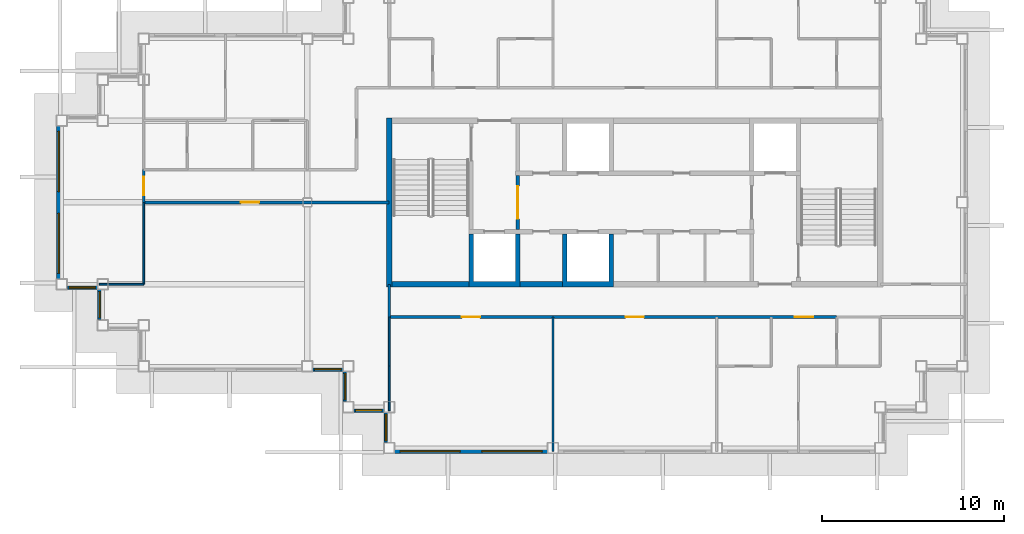
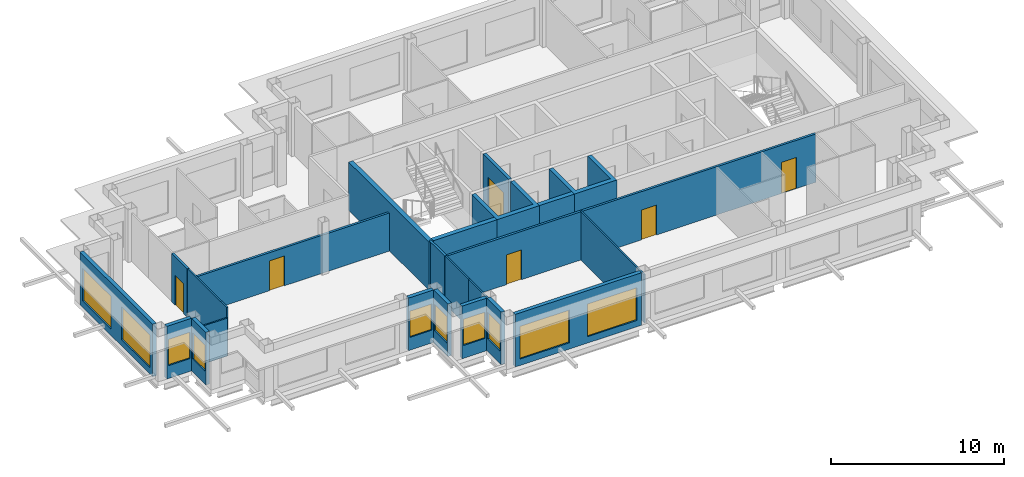
# One storey, part 2 of 11: 23 walls, 10 windows, 6 doors, 16 openings.
"""IFC4 building model written with IfcOpenShell, lengths in metres."""

from ifc_helpers import new_model, si_unit, direction, frame, frame_2d, origin, place, context, subcontext, project, spatial, polyline, rectangle, outline, extrude, material, layer, layer_set, type_object, element, fill, save


model = new_model("IFC4")

# Units and contexts
model_context = context("Model", 3, precision=1e-05, world=origin(), true_north=direction((0.0, 1.0)))
body_context = subcontext(model_context, "Body", "Model", "MODEL_VIEW")
ifc_project = project(units=[si_unit("LENGTHUNIT", "METRE"), si_unit("AREAUNIT", "SQUARE_METRE"), si_unit("VOLUMEUNIT", "CUBIC_METRE"), si_unit("PLANEANGLEUNIT", "RADIAN"), si_unit("MASSUNIT", "GRAM", prefix="KILO")], contexts=[model_context])

# Site, building, storey
site_placement = place(None, origin())
site = spatial("IfcSite", under=ifc_project, at=site_placement, CompositionType="ELEMENT")
building_placement = place(site_placement, origin())
building = spatial("IfcBuilding", under=site, at=building_placement, Name="Caravel Reach Hotel and Residences", CompositionType="ELEMENT")
storey_placement = place(building_placement, frame((0.0, 0.0, 263.800048828125)))
storey = spatial("IfcBuildingStorey", under=building, at=storey_placement, Name="L67", CompositionType="ELEMENT", Elevation=263.800048828125)

# Walls
ifc_material_1 = material(Name="Concrete C60", Category="concrete")
ifc_layer_1 = layer(ifc_material_1, 0.300048828125)
ifc_layer_set_1 = layer_set([ifc_layer_1], Name="Core wall 300 mm EI 120")
wall_type_1 = type_object("IfcWallType", Name="Core wall 300 mm EI 120", PredefinedType="SHEAR", material=ifc_layer_set_1)
wall_1_placement = place(storey_placement, frame((18.14990234375, 22.5, 0.0), z_axis=(0.0, 0.0, 1.0), x_axis=(1.0, 0.0, 0.0)))
element("IfcWall", 1, at=wall_1_placement, inside=storey, type_object=wall_type_1, Name="L67 core wall S1", PredefinedType="SHEAR", context=body_context, shape_type="SweptSolid", body=[
    extrude(rectangle(XDim=4.22509765625, YDim=0.300048828125, at=frame_2d((2.112548828125, 0.0))), origin(), (0.0, 0.0, 1.0), 3.39990234375),
])
wall_2_placement = place(storey_placement, frame((25.196533203125, 22.5, 0.0), z_axis=(0.0, 0.0, 1.0), x_axis=(1.0, 0.0, 0.0)))
element("IfcWall", 2, at=wall_2_placement, inside=storey, type_object=wall_type_1, Name="L67 core wall S2", PredefinedType="SHEAR", context=body_context, shape_type="SweptSolid", body=[
    extrude(rectangle(XDim=2.3212890625, YDim=0.300048828125, at=frame_2d((1.16064453125, 0.0))), origin(), (0.0, 0.0, 1.0), 3.39990234375),
])
wall_3_placement = place(storey_placement, frame((18.0, 22.35009765625, 0.0), z_axis=(0.0, 0.0, 1.0), x_axis=(0.0, 1.0, 0.0)))
element("IfcWall", 3, at=wall_3_placement, inside=storey, type_object=wall_type_1, Name="L67 core wall W", PredefinedType="SHEAR", context=body_context, shape_type="SweptSolid", body=[
    extrude(rectangle(XDim=9.2998046875, YDim=0.300048828125, at=frame_2d((4.64990234375, 0.0))), origin(), (0.0, 0.0, 1.0), 3.39990234375),
])

# Wall, openings, doors
ifc_material_2 = material(Name="Gypsum board on steel stud, fire-rated", Category="steel")
ifc_layer_2 = layer(ifc_material_2, 0.14990234375)
ifc_layer_set_2 = layer_set([ifc_layer_2], Name="Corridor wall 150 mm EI 60")
wall_type_2 = type_object("IfcWallType", Name="Corridor wall 150 mm EI 60", PredefinedType="PARTITIONING", material=ifc_layer_set_2)
wall_4_placement = place(storey_placement, frame((18.0, 20.699951171875, 0.0), z_axis=(0.0, 0.0, 1.0), x_axis=(1.0, 0.0, 0.0)))
wall_4 = element("IfcWall", 4, at=wall_4_placement, inside=storey, type_object=wall_type_2, Name="L67 wall w001", PredefinedType="PARTITIONING", context=body_context, shape_type="SweptSolid", body=[
    extrude(rectangle(XDim=24.60009765625, YDim=0.14990234375, at=frame_2d((12.300048828125, 0.0))), origin(), (0.0, 0.0, 1.0), 3.39990234375),
])
opening_1_placement = place(wall_4_placement, frame((4.0, 0.0, 0.0)))
opening_1 = element("IfcOpeningElement", 5, at=opening_1_placement, cuts=wall_4, Name="Opening D67-030", PredefinedType="OPENING", context=body_context, shape_type="SweptSolid", body=[
    extrude(rectangle(XDim=1.0, YDim=2.10009765625, at=frame_2d((0.5, 1.050048828125))), frame((0.0, 0.0849609375, 0.0), z_axis=(0.0, -1.0, 0.0), x_axis=(1.0, 0.0, 0.0)), (0.0, 0.0, 1.0), 0.169921875),
])
opening_2_placement = place(wall_4_placement, frame((13.0, 0.0, 0.0)))
opening_2 = element("IfcOpeningElement", 6, at=opening_2_placement, cuts=wall_4, Name="Opening D67-031", PredefinedType="OPENING", context=body_context, shape_type="SweptSolid", body=[
    extrude(rectangle(XDim=1.0, YDim=2.10009765625, at=frame_2d((0.5, 1.050048828125))), frame((0.0, 0.0849609375, 0.0), z_axis=(0.0, -1.0, 0.0), x_axis=(1.0, 0.0, 0.0)), (0.0, 0.0, 1.0), 0.169921875),
])
opening_3_placement = place(wall_4_placement, frame((22.300048828125, 0.0, 0.0)))
opening_3 = element("IfcOpeningElement", 7, at=opening_3_placement, cuts=wall_4, Name="Opening D67-032", PredefinedType="OPENING", context=body_context, shape_type="SweptSolid", body=[
    extrude(rectangle(XDim=1.0, YDim=2.199951171875, at=frame_2d((0.5, 1.10009765625))), frame((0.0, 0.0849609375, 0.0), z_axis=(0.0, -1.0, 0.0), x_axis=(1.0, 0.0, 0.0)), (0.0, 0.0, 1.0), 0.169921875),
])
ifc_material_3 = material(Name="Steel fire door leaf", Category="steel")
door_type_1 = type_object("IfcDoorType", Name="Fire door 1000 x 2100 EI 60", OperationType="SINGLE_SWING_LEFT", PredefinedType="DOOR", material=ifc_material_3)
door_1_placement = place(opening_1_placement, origin())
door_1 = element("IfcDoor", 8, at=door_1_placement, inside=storey, type_object=door_type_1, Name="door D67-030", OperationType="SINGLE_SWING_RIGHT", OverallHeight=2.10009765625, OverallWidth=1.0, PredefinedType="DOOR", context=body_context, shape_type="SweptSolid", body=[
    extrude(rectangle(XDim=1.0, YDim=2.10009765625, at=frame_2d((0.5, 1.050048828125))), frame((0.0, 0.02490234375, 0.0), z_axis=(0.0, -1.0, 0.0), x_axis=(1.0, 0.0, 0.0)), (0.0, 0.0, 1.0), 0.050048828125),
])
fill(opening_1, door_1)
door_2_placement = place(opening_2_placement, origin())
door_2 = element("IfcDoor", 9, at=door_2_placement, inside=storey, type_object=door_type_1, Name="door D67-031", OperationType="SINGLE_SWING_RIGHT", OverallHeight=2.10009765625, OverallWidth=1.0, PredefinedType="DOOR", context=body_context, shape_type="SweptSolid", body=[
    extrude(rectangle(XDim=1.0, YDim=2.10009765625, at=frame_2d((0.5, 1.050048828125))), frame((0.0, 0.02490234375, 0.0), z_axis=(0.0, -1.0, 0.0), x_axis=(1.0, 0.0, 0.0)), (0.0, 0.0, 1.0), 0.050048828125),
])
fill(opening_2, door_2)
ifc_material_4 = material(Name="Steel fire door leaf", Category="steel")
door_type_2 = type_object("IfcDoorType", Name="Flat entrance door 1000 x 2200 EI 60", OperationType="SINGLE_SWING_LEFT", PredefinedType="DOOR", material=ifc_material_4)
door_3_placement = place(opening_3_placement, origin())
door_3 = element("IfcDoor", 10, at=door_3_placement, inside=storey, type_object=door_type_2, Name="door D67-032", OperationType="SINGLE_SWING_RIGHT", OverallHeight=2.199951171875, OverallWidth=1.0, PredefinedType="DOOR", context=body_context, shape_type="SweptSolid", body=[
    extrude(rectangle(XDim=1.0, YDim=2.199951171875, at=frame_2d((0.5, 1.10009765625))), frame((0.0, 0.02490234375, 0.0), z_axis=(0.0, -1.0, 0.0), x_axis=(1.0, 0.0, 0.0)), (0.0, 0.0, 1.0), 0.050048828125),
])
fill(opening_3, door_3)

# Wall, opening, door
wall_5_placement = place(storey_placement, frame((4.5, 27.0, 0.0), z_axis=(0.0, 0.0, 1.0), x_axis=(1.0, 0.0, 0.0)))
wall_5 = element("IfcWall", 11, at=wall_5_placement, inside=storey, type_object=wall_type_2, Name="L67 wall w007", PredefinedType="PARTITIONING", context=body_context, shape_type="SweptSolid", body=[
    extrude(rectangle(XDim=13.5, YDim=0.14990234375, at=frame_2d((6.75, 0.0))), origin(), (0.0, 0.0, 1.0), 2.679931640625),
])
opening_4_placement = place(wall_5_placement, frame((5.35009765625, 0.0, 0.0)))
opening_4 = element("IfcOpeningElement", 12, at=opening_4_placement, cuts=wall_5, Name="Opening D67-029", PredefinedType="OPENING", context=body_context, shape_type="SweptSolid", body=[
    extrude(rectangle(XDim=1.0, YDim=2.10009765625, at=frame_2d((0.5, 1.050048828125))), frame((0.0, 0.0849609375, 0.0), z_axis=(0.0, -1.0, 0.0), x_axis=(1.0, 0.0, 0.0)), (0.0, 0.0, 1.0), 0.169921875),
])
door_4_placement = place(opening_4_placement, origin())
door_4 = element("IfcDoor", 13, at=door_4_placement, inside=storey, type_object=door_type_1, Name="door D67-029", OperationType="SINGLE_SWING_LEFT", OverallHeight=2.10009765625, OverallWidth=1.0, PredefinedType="DOOR", context=body_context, shape_type="SweptSolid", body=[
    extrude(rectangle(XDim=1.0, YDim=2.10009765625, at=frame_2d((0.5, 1.050048828125))), frame((0.0, 0.02490234375, 0.0), z_axis=(0.0, -1.0, 0.0), x_axis=(1.0, 0.0, 0.0)), (0.0, 0.0, 1.0), 0.050048828125),
])
fill(opening_4, door_4)

# Wall
wall_6_placement = place(storey_placement, frame((18.0, 20.699951171875, 0.0), z_axis=(0.0, 0.0, 1.0), x_axis=(0.0, 1.0, 0.0)))
element("IfcWall", 14, at=wall_6_placement, inside=storey, type_object=wall_type_2, Name="L67 wall w018", PredefinedType="PARTITIONING", context=body_context, shape_type="SweptSolid", body=[
    extrude(rectangle(XDim=1.800048828125, YDim=0.14990234375, at=frame_2d((0.89990234375, 0.0))), origin(), (0.0, 0.0, 1.0), 3.39990234375),
])

# Wall, opening, door
wall_7_placement = place(storey_placement, frame((4.5, 27.0, 0.0), z_axis=(0.0, 0.0, 1.0), x_axis=(0.0, 1.0, 0.0)))
wall_7 = element("IfcWall", 15, at=wall_7_placement, inside=storey, type_object=wall_type_2, Name="L67 wall w019", PredefinedType="PARTITIONING", context=body_context, shape_type="SweptSolid", body=[
    extrude(rectangle(XDim=1.800048828125, YDim=0.14990234375, at=frame_2d((0.89990234375, 0.0))), origin(), (0.0, 0.0, 1.0), 3.39990234375),
])
opening_5_placement = place(wall_7_placement, frame((0.39990234375, 0.0, 0.0)))
opening_5 = element("IfcOpeningElement", 16, at=opening_5_placement, cuts=wall_7, Name="Opening D67-036", PredefinedType="OPENING", context=body_context, shape_type="SweptSolid", body=[
    extrude(rectangle(XDim=1.0, YDim=2.10009765625, at=frame_2d((0.5, 1.050048828125))), frame((0.0, 0.0849609375, 0.0), z_axis=(0.0, -1.0, 0.0), x_axis=(1.0, 0.0, 0.0)), (0.0, 0.0, 1.0), 0.169921875),
])
door_5_placement = place(opening_5_placement, origin())
door_5 = element("IfcDoor", 17, at=door_5_placement, inside=storey, type_object=door_type_1, Name="door D67-036", OperationType="SINGLE_SWING_LEFT", OverallHeight=2.10009765625, OverallWidth=1.0, PredefinedType="DOOR", context=body_context, shape_type="SweptSolid", body=[
    extrude(rectangle(XDim=1.0, YDim=2.10009765625, at=frame_2d((0.5, 1.050048828125))), frame((0.0, 0.02490234375, 0.0), z_axis=(0.0, -1.0, 0.0), x_axis=(1.0, 0.0, 0.0)), (0.0, 0.0, 1.0), 0.050048828125),
])
fill(opening_5, door_5)

# Wall, opening, window
ifc_material_5 = material(Name="Insulated rainscreen wall, aluminium cladding", Category="aluminium")
ifc_layer_3 = layer(ifc_material_5, 0.25)
ifc_layer_set_3 = layer_set([ifc_layer_3], Name="EW1 Tower rainscreen wall")
wall_type_3 = type_object("IfcWallType", Name="EW1 Tower rainscreen wall", PredefinedType="SOLIDWALL", material=ifc_layer_set_3)
wall_8_placement = place(storey_placement, frame((15.574951171875, 17.699951171875, 0.0), z_axis=(0.0, 0.0, 1.0), x_axis=(0.0, -1.0, 0.0)))
wall_8 = element("IfcWall", 18, at=wall_8_placement, inside=storey, type_object=wall_type_3, Name="External wall L67 W1.1", PredefinedType="SOLIDWALL", context=body_context, shape_type="SweptSolid", body=[
    extrude(rectangle(XDim=1.64990234375, YDim=0.25, at=frame_2d((0.824951171875, 0.0))), origin(), (0.0, 0.0, 1.0), 3.699951171875),
])
opening_6_placement = place(wall_8_placement, frame((0.10009765625, 0.0, 0.89990234375)))
opening_6 = element("IfcOpeningElement", 19, at=opening_6_placement, cuts=wall_8, Name="Opening WN25", PredefinedType="OPENING", context=body_context, shape_type="SweptSolid", body=[
    extrude(rectangle(XDim=1.449951171875, YDim=1.85009765625, at=frame_2d((0.72509765625, 0.925048828125))), frame((0.0, 0.135009765625, 0.0), z_axis=(0.0, -1.0, 0.0), x_axis=(1.0, 0.0, 0.0)), (0.0, 0.0, 1.0), 0.27001953125),
])
ifc_material_6 = material(Name="Dark low-e glazing in black aluminium frame", Category="aluminium")
window_type_1 = type_object("IfcWindowType", Name="Residence bedroom window 1450 x 1850", PartitioningType="SINGLE_PANEL", PredefinedType="WINDOW", material=ifc_material_6)
window_1_placement = place(opening_6_placement, origin())
window_1 = element("IfcWindow", 20, at=window_1_placement, inside=storey, type_object=window_type_1, Name="Window L67 W1.1.1", OverallHeight=1.85009765625, OverallWidth=1.449951171875, PartitioningType="SINGLE_PANEL", PredefinedType="WINDOW", context=body_context, shape_type="SweptSolid", body=[
    extrude(rectangle(XDim=1.449951171875, YDim=1.85009765625, at=frame_2d((0.72509765625, 0.925048828125))), frame((0.0, 0.030029296875, 0.0), z_axis=(0.0, -1.0, 0.0), x_axis=(1.0, 0.0, 0.0)), (0.0, 0.0, 1.0), 0.06005859375),
])
fill(opening_6, window_1)

wall_9_placement = place(storey_placement, frame((16.050048828125, 15.574951171875, 0.0), z_axis=(0.0, 0.0, 1.0), x_axis=(1.0, 0.0, 0.0)))
wall_9 = element("IfcWall", 21, at=wall_9_placement, inside=storey, type_object=wall_type_3, Name="External wall L67 S2.1", PredefinedType="SOLIDWALL", context=body_context, shape_type="SweptSolid", body=[
    extrude(rectangle(XDim=1.64990234375, YDim=0.25, at=frame_2d((0.824951171875, 0.0))), origin(), (0.0, 0.0, 1.0), 3.699951171875),
])
opening_7_placement = place(wall_9_placement, frame((0.10009765625, 0.0, 0.89990234375)))
opening_7 = element("IfcOpeningElement", 22, at=opening_7_placement, cuts=wall_9, Name="Opening WN25", PredefinedType="OPENING", context=body_context, shape_type="SweptSolid", body=[
    extrude(rectangle(XDim=1.449951171875, YDim=1.85009765625, at=frame_2d((0.72509765625, 0.925048828125))), frame((0.0, 0.135009765625, 0.0), z_axis=(0.0, -1.0, 0.0), x_axis=(1.0, 0.0, 0.0)), (0.0, 0.0, 1.0), 0.27001953125),
])
window_2_placement = place(opening_7_placement, origin())
window_2 = element("IfcWindow", 23, at=window_2_placement, inside=storey, type_object=window_type_1, Name="Window L67 S2.1.1", OverallHeight=1.85009765625, OverallWidth=1.449951171875, PartitioningType="SINGLE_PANEL", PredefinedType="WINDOW", context=body_context, shape_type="SweptSolid", body=[
    extrude(rectangle(XDim=1.449951171875, YDim=1.85009765625, at=frame_2d((0.72509765625, 0.925048828125))), frame((0.0, 0.030029296875, 0.0), z_axis=(0.0, -1.0, 0.0), x_axis=(1.0, 0.0, 0.0)), (0.0, 0.0, 1.0), 0.06005859375),
])
fill(opening_7, window_2)

wall_10_placement = place(storey_placement, frame((17.824951171875, 15.449951171875, 0.0), z_axis=(0.0, 0.0, 1.0), x_axis=(0.0, -1.0, 0.0)))
wall_10 = element("IfcWall", 24, at=wall_10_placement, inside=storey, type_object=wall_type_3, Name="External wall L67 W3.1", PredefinedType="SOLIDWALL", context=body_context, shape_type="SweptSolid", body=[
    extrude(rectangle(XDim=1.64990234375, YDim=0.25, at=frame_2d((0.824951171875, 0.0))), origin(), (0.0, 0.0, 1.0), 3.699951171875),
])
opening_8_placement = place(wall_10_placement, frame((0.10009765625, 0.0, 0.89990234375)))
opening_8 = element("IfcOpeningElement", 25, at=opening_8_placement, cuts=wall_10, Name="Opening WN25", PredefinedType="OPENING", context=body_context, shape_type="SweptSolid", body=[
    extrude(rectangle(XDim=1.449951171875, YDim=1.85009765625, at=frame_2d((0.72509765625, 0.925048828125))), frame((0.0, 0.135009765625, 0.0), z_axis=(0.0, -1.0, 0.0), x_axis=(1.0, 0.0, 0.0)), (0.0, 0.0, 1.0), 0.27001953125),
])
window_3_placement = place(opening_8_placement, origin())
window_3 = element("IfcWindow", 26, at=window_3_placement, inside=storey, type_object=window_type_1, Name="Window L67 W3.1.1", OverallHeight=1.85009765625, OverallWidth=1.449951171875, PartitioningType="SINGLE_PANEL", PredefinedType="WINDOW", context=body_context, shape_type="SweptSolid", body=[
    extrude(rectangle(XDim=1.449951171875, YDim=1.85009765625, at=frame_2d((0.72509765625, 0.925048828125))), frame((0.0, 0.030029296875, 0.0), z_axis=(0.0, -1.0, 0.0), x_axis=(1.0, 0.0, 0.0)), (0.0, 0.0, 1.0), 0.06005859375),
])
fill(opening_8, window_3)

# Wall, openings, windows
wall_11_placement = place(storey_placement, frame((18.300048828125, 13.324951171875, 0.0), z_axis=(0.0, 0.0, 1.0), x_axis=(1.0, 0.0, 0.0)))
wall_11 = element("IfcWall", 27, at=wall_11_placement, inside=storey, type_object=wall_type_3, Name="External wall L67 S4.1", PredefinedType="SOLIDWALL", context=body_context, shape_type="SweptSolid", body=[
    extrude(rectangle(XDim=8.39990234375, YDim=0.25, at=frame_2d((4.199951171875, 0.0))), origin(), (0.0, 0.0, 1.0), 3.699951171875),
])
opening_9_placement = place(wall_11_placement, frame((0.300048828125, 0.0, 0.449951171875)))
opening_9 = element("IfcOpeningElement", 28, at=opening_9_placement, cuts=wall_11, Name="Opening WN15", PredefinedType="OPENING", context=body_context, shape_type="SweptSolid", body=[
    extrude(rectangle(XDim=3.300048828125, YDim=2.300048828125, at=frame_2d((1.64990234375, 1.14990234375))), frame((0.0, 0.135009765625, 0.0), z_axis=(0.0, -1.0, 0.0), x_axis=(1.0, 0.0, 0.0)), (0.0, 0.0, 1.0), 0.27001953125),
])
opening_10_placement = place(wall_11_placement, frame((4.800048828125, 0.0, 0.449951171875)))
opening_10 = element("IfcOpeningElement", 29, at=opening_10_placement, cuts=wall_11, Name="Opening WN15", PredefinedType="OPENING", context=body_context, shape_type="SweptSolid", body=[
    extrude(rectangle(XDim=3.300048828125, YDim=2.300048828125, at=frame_2d((1.64990234375, 1.14990234375))), frame((0.0, 0.135009765625, 0.0), z_axis=(0.0, -1.0, 0.0), x_axis=(1.0, 0.0, 0.0)), (0.0, 0.0, 1.0), 0.27001953125),
])
ifc_material_7 = material(Name="Dark low-e glazing in black aluminium frame", Category="aluminium")
window_type_2 = type_object("IfcWindowType", Name="Residence living window 3300 x 2300", PartitioningType="SINGLE_PANEL", PredefinedType="WINDOW", material=ifc_material_7)
window_4_placement = place(opening_9_placement, origin())
window_4 = element("IfcWindow", 30, at=window_4_placement, inside=storey, type_object=window_type_2, Name="Window L67 S4.1.1", OverallHeight=2.300048828125, OverallWidth=3.300048828125, PartitioningType="SINGLE_PANEL", PredefinedType="WINDOW", context=body_context, shape_type="SweptSolid", body=[
    extrude(rectangle(XDim=3.300048828125, YDim=2.300048828125, at=frame_2d((1.64990234375, 1.14990234375))), frame((0.0, 0.030029296875, 0.0), z_axis=(0.0, -1.0, 0.0), x_axis=(1.0, 0.0, 0.0)), (0.0, 0.0, 1.0), 0.06005859375),
])
fill(opening_9, window_4)
window_5_placement = place(opening_10_placement, origin())
window_5 = element("IfcWindow", 31, at=window_5_placement, inside=storey, type_object=window_type_2, Name="Window L67 S4.1.2", OverallHeight=2.300048828125, OverallWidth=3.300048828125, PartitioningType="SINGLE_PANEL", PredefinedType="WINDOW", context=body_context, shape_type="SweptSolid", body=[
    extrude(rectangle(XDim=3.300048828125, YDim=2.300048828125, at=frame_2d((1.64990234375, 1.14990234375))), frame((0.0, 0.030029296875, 0.0), z_axis=(0.0, -1.0, 0.0), x_axis=(1.0, 0.0, 0.0)), (0.0, 0.0, 1.0), 0.06005859375),
])
fill(opening_10, window_5)

wall_12_placement = place(storey_placement, frame((-0.175048828125, 31.199951171875, 0.0), z_axis=(0.0, 0.0, 1.0), x_axis=(0.0, -1.0, 0.0)))
wall_12 = element("IfcWall", 32, at=wall_12_placement, inside=storey, type_object=wall_type_3, Name="External wall L67 W23.1", PredefinedType="SOLIDWALL", context=body_context, shape_type="SweptSolid", body=[
    extrude(rectangle(XDim=8.39990234375, YDim=0.25, at=frame_2d((4.199951171875, 0.0))), origin(), (0.0, 0.0, 1.0), 3.699951171875),
])
opening_11_placement = place(wall_12_placement, frame((0.300048828125, 0.0, 0.449951171875)))
opening_11 = element("IfcOpeningElement", 33, at=opening_11_placement, cuts=wall_12, Name="Opening WN15", PredefinedType="OPENING", context=body_context, shape_type="SweptSolid", body=[
    extrude(rectangle(XDim=3.300048828125, YDim=2.300048828125, at=frame_2d((1.64990234375, 1.14990234375))), frame((0.0, 0.135009765625, 0.0), z_axis=(0.0, -1.0, 0.0), x_axis=(1.0, 0.0, 0.0)), (0.0, 0.0, 1.0), 0.27001953125),
])
opening_12_placement = place(wall_12_placement, frame((4.800048828125, 0.0, 0.449951171875)))
opening_12 = element("IfcOpeningElement", 34, at=opening_12_placement, cuts=wall_12, Name="Opening WN15", PredefinedType="OPENING", context=body_context, shape_type="SweptSolid", body=[
    extrude(rectangle(XDim=3.300048828125, YDim=2.300048828125, at=frame_2d((1.64990234375, 1.14990234375))), frame((0.0, 0.135009765625, 0.0), z_axis=(0.0, -1.0, 0.0), x_axis=(1.0, 0.0, 0.0)), (0.0, 0.0, 1.0), 0.27001953125),
])
window_6_placement = place(opening_11_placement, origin())
window_6 = element("IfcWindow", 35, at=window_6_placement, inside=storey, type_object=window_type_2, Name="Window L67 W23.1.1", OverallHeight=2.300048828125, OverallWidth=3.300048828125, PartitioningType="SINGLE_PANEL", PredefinedType="WINDOW", context=body_context, shape_type="SweptSolid", body=[
    extrude(rectangle(XDim=3.300048828125, YDim=2.300048828125, at=frame_2d((1.64990234375, 1.14990234375))), frame((0.0, 0.030029296875, 0.0), z_axis=(0.0, -1.0, 0.0), x_axis=(1.0, 0.0, 0.0)), (0.0, 0.0, 1.0), 0.06005859375),
])
fill(opening_11, window_6)
window_7_placement = place(opening_12_placement, origin())
window_7 = element("IfcWindow", 36, at=window_7_placement, inside=storey, type_object=window_type_2, Name="Window L67 W23.1.2", OverallHeight=2.300048828125, OverallWidth=3.300048828125, PartitioningType="SINGLE_PANEL", PredefinedType="WINDOW", context=body_context, shape_type="SweptSolid", body=[
    extrude(rectangle(XDim=3.300048828125, YDim=2.300048828125, at=frame_2d((1.64990234375, 1.14990234375))), frame((0.0, 0.030029296875, 0.0), z_axis=(0.0, -1.0, 0.0), x_axis=(1.0, 0.0, 0.0)), (0.0, 0.0, 1.0), 0.06005859375),
])
fill(opening_12, window_7)

# Wall, opening, window
wall_13_placement = place(storey_placement, frame((0.300048828125, 22.324951171875, 0.0), z_axis=(0.0, 0.0, 1.0), x_axis=(1.0, 0.0, 0.0)))
wall_13 = element("IfcWall", 37, at=wall_13_placement, inside=storey, type_object=wall_type_3, Name="External wall L67 S24.1", PredefinedType="SOLIDWALL", context=body_context, shape_type="SweptSolid", body=[
    extrude(rectangle(XDim=1.64990234375, YDim=0.25, at=frame_2d((0.824951171875, 0.0))), origin(), (0.0, 0.0, 1.0), 3.699951171875),
])
opening_13_placement = place(wall_13_placement, frame((0.10009765625, 0.0, 0.89990234375)))
opening_13 = element("IfcOpeningElement", 38, at=opening_13_placement, cuts=wall_13, Name="Opening WN25", PredefinedType="OPENING", context=body_context, shape_type="SweptSolid", body=[
    extrude(rectangle(XDim=1.449951171875, YDim=1.85009765625, at=frame_2d((0.72509765625, 0.925048828125))), frame((0.0, 0.135009765625, 0.0), z_axis=(0.0, -1.0, 0.0), x_axis=(1.0, 0.0, 0.0)), (0.0, 0.0, 1.0), 0.27001953125),
])
window_8_placement = place(opening_13_placement, origin())
window_8 = element("IfcWindow", 39, at=window_8_placement, inside=storey, type_object=window_type_1, Name="Window L67 S24.1.1", OverallHeight=1.85009765625, OverallWidth=1.449951171875, PartitioningType="SINGLE_PANEL", PredefinedType="WINDOW", context=body_context, shape_type="SweptSolid", body=[
    extrude(rectangle(XDim=1.449951171875, YDim=1.85009765625, at=frame_2d((0.72509765625, 0.925048828125))), frame((0.0, 0.030029296875, 0.0), z_axis=(0.0, -1.0, 0.0), x_axis=(1.0, 0.0, 0.0)), (0.0, 0.0, 1.0), 0.06005859375),
])
fill(opening_13, window_8)

wall_14_placement = place(storey_placement, frame((2.074951171875, 22.199951171875, 0.0), z_axis=(0.0, 0.0, 1.0), x_axis=(0.0, -1.0, 0.0)))
wall_14 = element("IfcWall", 40, at=wall_14_placement, inside=storey, type_object=wall_type_3, Name="External wall L67 W25.1", PredefinedType="SOLIDWALL", context=body_context, shape_type="SweptSolid", body=[
    extrude(rectangle(XDim=1.64990234375, YDim=0.25, at=frame_2d((0.824951171875, 0.0))), origin(), (0.0, 0.0, 1.0), 3.699951171875),
])
opening_14_placement = place(wall_14_placement, frame((0.10009765625, 0.0, 0.89990234375)))
opening_14 = element("IfcOpeningElement", 41, at=opening_14_placement, cuts=wall_14, Name="Opening WN25", PredefinedType="OPENING", context=body_context, shape_type="SweptSolid", body=[
    extrude(rectangle(XDim=1.449951171875, YDim=1.85009765625, at=frame_2d((0.72509765625, 0.925048828125))), frame((0.0, 0.135009765625, 0.0), z_axis=(0.0, -1.0, 0.0), x_axis=(1.0, 0.0, 0.0)), (0.0, 0.0, 1.0), 0.27001953125),
])
window_9_placement = place(opening_14_placement, origin())
window_9 = element("IfcWindow", 42, at=window_9_placement, inside=storey, type_object=window_type_1, Name="Window L67 W25.1.1", OverallHeight=1.85009765625, OverallWidth=1.449951171875, PartitioningType="SINGLE_PANEL", PredefinedType="WINDOW", context=body_context, shape_type="SweptSolid", body=[
    extrude(rectangle(XDim=1.449951171875, YDim=1.85009765625, at=frame_2d((0.72509765625, 0.925048828125))), frame((0.0, 0.030029296875, 0.0), z_axis=(0.0, -1.0, 0.0), x_axis=(1.0, 0.0, 0.0)), (0.0, 0.0, 1.0), 0.06005859375),
])
fill(opening_14, window_9)

wall_15_placement = place(storey_placement, frame((13.800048828125, 17.824951171875, 0.0), z_axis=(0.0, 0.0, 1.0), x_axis=(1.0, 0.0, 0.0)))
wall_15 = element("IfcWall", 43, at=wall_15_placement, inside=storey, type_object=wall_type_3, Name="External wall L67 S28.2", PredefinedType="SOLIDWALL", context=body_context, shape_type="SweptSolid", body=[
    extrude(rectangle(XDim=1.64990234375, YDim=0.25, at=frame_2d((0.824951171875, 0.0))), origin(), (0.0, 0.0, 1.0), 3.699951171875),
])
opening_15_placement = place(wall_15_placement, frame((0.10009765625, 0.0, 0.89990234375)))
opening_15 = element("IfcOpeningElement", 44, at=opening_15_placement, cuts=wall_15, Name="Opening WN25", PredefinedType="OPENING", context=body_context, shape_type="SweptSolid", body=[
    extrude(rectangle(XDim=1.449951171875, YDim=1.85009765625, at=frame_2d((0.72509765625, 0.925048828125))), frame((0.0, 0.135009765625, 0.0), z_axis=(0.0, -1.0, 0.0), x_axis=(1.0, 0.0, 0.0)), (0.0, 0.0, 1.0), 0.27001953125),
])
window_10_placement = place(opening_15_placement, origin())
window_10 = element("IfcWindow", 45, at=window_10_placement, inside=storey, type_object=window_type_1, Name="Window L67 S28.2.1", OverallHeight=1.85009765625, OverallWidth=1.449951171875, PartitioningType="SINGLE_PANEL", PredefinedType="WINDOW", context=body_context, shape_type="SweptSolid", body=[
    extrude(rectangle(XDim=1.449951171875, YDim=1.85009765625, at=frame_2d((0.72509765625, 0.925048828125))), frame((0.0, 0.030029296875, 0.0), z_axis=(0.0, -1.0, 0.0), x_axis=(1.0, 0.0, 0.0)), (0.0, 0.0, 1.0), 0.06005859375),
])
fill(opening_15, window_10)

# Wall, opening, door
ifc_material_8 = material(Name="Autoclaved aerated block wall")
ifc_layer_4 = layer(ifc_material_8, 0.199951171875)
ifc_layer_set_4 = layer_set([ifc_layer_4], Name="Fire lobby wall 200 mm EI 120")
wall_type_4 = type_object("IfcWallType", Name="Fire lobby wall 200 mm EI 120", PredefinedType="PARTITIONING", material=ifc_layer_set_4)
wall_16_placement = place(storey_placement, frame((25.071533203125, 25.52490234375, 0.0), z_axis=(0.0, 0.0, 1.0), x_axis=(0.0, 1.0, 0.0)))
wall_16 = element("IfcWall", 46, at=wall_16_placement, inside=storey, type_object=wall_type_4, Name="L67 lobby W wall", PredefinedType="PARTITIONING", context=body_context, shape_type="SweptSolid", body=[
    extrude(rectangle(XDim=2.9501953125, YDim=0.199951171875, at=frame_2d((1.47509765625, 0.0))), origin(), (0.0, 0.0, 1.0), 3.39990234375),
])
opening_16_placement = place(wall_16_placement, frame((0.574951171875, 0.0, 0.0)))
opening_16 = element("IfcOpeningElement", 47, at=opening_16_placement, cuts=wall_16, Name="Opening D67-013", PredefinedType="OPENING", context=body_context, shape_type="SweptSolid", body=[
    extrude(rectangle(XDim=1.800048828125, YDim=2.10009765625, at=frame_2d((0.89990234375, 1.050048828125))), frame((0.0, 0.10986328125, 0.0), z_axis=(0.0, -1.0, 0.0), x_axis=(1.0, 0.0, 0.0)), (0.0, 0.0, 1.0), 0.219970703125),
])
ifc_material_9 = material(Name="Steel fire door leaf", Category="steel")
door_type_3 = type_object("IfcDoorType", Name="Fire lobby door pair 1800 x 2100 EI 90", OperationType="DOUBLE_DOOR_SINGLE_SWING", PredefinedType="DOOR", material=ifc_material_9)
door_6_placement = place(opening_16_placement, origin())
door_6 = element("IfcDoor", 48, at=door_6_placement, inside=storey, type_object=door_type_3, Name="lobby W door pair", OperationType="DOUBLE_DOOR_SINGLE_SWING", OverallHeight=2.10009765625, OverallWidth=1.800048828125, PredefinedType="DOOR", context=body_context, shape_type="SweptSolid", body=[
    extrude(rectangle(XDim=1.800048828125, YDim=2.10009765625, at=frame_2d((0.89990234375, 1.050048828125))), frame((0.0, 0.02490234375, 0.0), z_axis=(0.0, -1.0, 0.0), x_axis=(1.0, 0.0, 0.0)), (0.0, 0.0, 1.0), 0.050048828125),
])
fill(opening_16, door_6)

# Walls
ifc_material_10 = material(Name="Gypsum board on steel stud", Category="steel")
ifc_layer_5 = layer(ifc_material_10, 0.10009765625)
ifc_layer_set_5 = layer_set([ifc_layer_5], Name="Partition 100 mm")
wall_type_5 = type_object("IfcWallType", Name="Partition 100 mm", PredefinedType="PARTITIONING", material=ifc_layer_set_5)
wall_17_placement = place(storey_placement, frame((2.06005859375, 22.5, 0.0), z_axis=(0.0, 0.0, 1.0), x_axis=(1.0, 0.0, 0.0)))
element("IfcWall", 49, at=wall_17_placement, inside=storey, type_object=wall_type_5, Name="L67 wall w023", PredefinedType="PARTITIONING", context=body_context, shape_type="SweptSolid", body=[
    extrude(rectangle(XDim=2.43896484375, YDim=0.10009765625, at=frame_2d((1.219482421875, 0.0))), origin(), (0.0, 0.0, 1.0), 2.679931640625),
])
wall_18_placement = place(storey_placement, frame((18.0, 15.56005859375, 0.0), z_axis=(0.0, 0.0, 1.0), x_axis=(0.0, 1.0, 0.0)))
element("IfcWall", 50, at=wall_18_placement, inside=storey, type_object=wall_type_5, Name="L67 wall w031", PredefinedType="PARTITIONING", context=body_context, shape_type="SweptSolid", body=[
    extrude(rectangle(XDim=2.43896484375, YDim=0.10009765625, at=frame_2d((1.219482421875, 0.0))), origin(), (0.0, 0.0, 1.0), 3.39990234375),
])
wall_19_placement = place(storey_placement, frame((18.0, 18.0, 0.0), z_axis=(0.0, 0.0, 1.0), x_axis=(0.0, 1.0, 0.0)))
element("IfcWall", 51, at=wall_19_placement, inside=storey, type_object=wall_type_5, Name="L67 wall w032", PredefinedType="PARTITIONING", context=body_context, shape_type="SweptSolid", body=[
    extrude(rectangle(XDim=2.699951171875, YDim=0.10009765625, at=frame_2d((1.35009765625, 0.0))), origin(), (0.0, 0.0, 1.0), 3.39990234375),
])
wall_20_placement = place(storey_placement, frame((27.0, 13.31005859375, 0.0), z_axis=(0.0, 0.0, 1.0), x_axis=(0.0, 1.0, 0.0)))
element("IfcWall", 52, at=wall_20_placement, inside=storey, type_object=wall_type_5, Name="L67 wall w036", PredefinedType="PARTITIONING", context=body_context, shape_type="SweptSolid", body=[
    extrude(rectangle(XDim=7.389892578125, YDim=0.10009765625, at=frame_2d((3.69482421875, 0.0))), origin(), (0.0, 0.0, 1.0), 3.39990234375),
])
wall_21_placement = place(storey_placement, frame((4.5, 22.5, 0.0), z_axis=(0.0, 0.0, 1.0), x_axis=(0.0, 1.0, 0.0)))
element("IfcWall", 53, at=wall_21_placement, inside=storey, type_object=wall_type_5, Name="L67 wall w044", PredefinedType="PARTITIONING", context=body_context, shape_type="SweptSolid", body=[
    extrude(rectangle(XDim=4.5, YDim=0.10009765625, at=frame_2d((2.25, 0.0))), origin(), (0.0, 0.0, 1.0), 3.39990234375),
])
ifc_material_11 = material(Name="Concrete C60", Category="concrete")
ifc_layer_6 = layer(ifc_material_11, 0.25)
ifc_layer_set_6 = layer_set([ifc_layer_6], Name="Shaft wall 250 mm EI 120")
wall_type_6 = type_object("IfcWallType", Name="Shaft wall 250 mm EI 120", PredefinedType="SHEAR", material=ifc_layer_set_6)
wall_22_placement = place(storey_placement, origin())
element("IfcWall", 54, at=wall_22_placement, inside=storey, type_object=wall_type_6, Name="L67 lift shaft wall S1", PredefinedType="SHEAR", context=body_context, shape_type="SweptSolid", body=[
    extrude(outline(polyline([(22.375, 22.35009765625), (25.196533203125, 22.35009765625), (25.196533203125, 25.27490234375), (24.946533203125, 25.27490234375), (24.946533203125, 22.64990234375), (22.625, 22.64990234375), (22.625, 25.27490234375), (22.375, 25.27490234375), (22.375, 22.35009765625)])), origin(), (0.0, 0.0, 1.0), 3.39990234375),
])
wall_23_placement = place(storey_placement, origin())
element("IfcWall", 55, at=wall_23_placement, inside=storey, type_object=wall_type_6, Name="L67 lift shaft wall S2", PredefinedType="SHEAR", context=body_context, shape_type="SweptSolid", body=[
    extrude(outline(polyline([(27.517822265625, 22.35009765625), (30.33935546875, 22.35009765625), (30.33935546875, 25.27490234375), (30.08935546875, 25.27490234375), (30.08935546875, 22.64990234375), (27.767822265625, 22.64990234375), (27.767822265625, 25.27490234375), (27.517822265625, 25.27490234375), (27.517822265625, 22.35009765625)])), origin(), (0.0, 0.0, 1.0), 3.39990234375),
])

save(model, "model.ifc")
